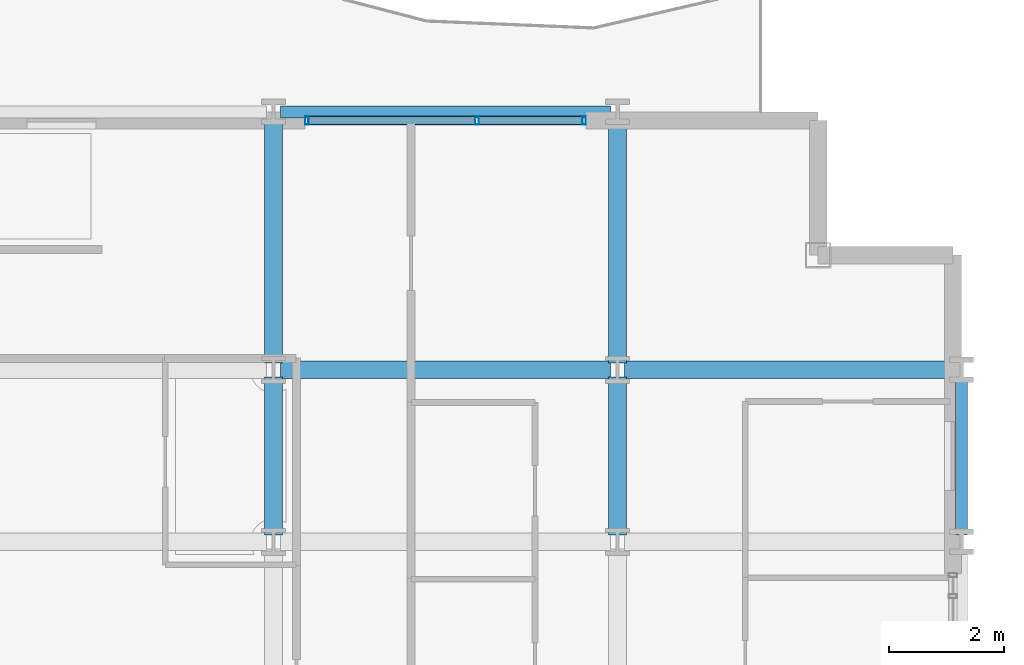
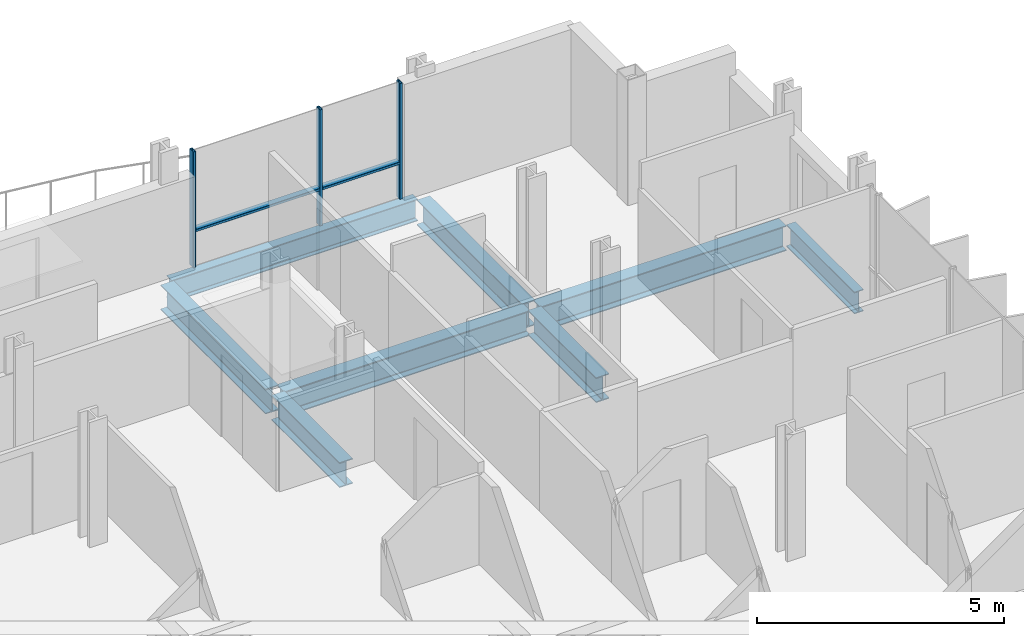
# One storey, part 20 of 39: 8 beams, 5 members, 1 element without a shape of its own.
"""IFC4 building model written with IfcOpenShell, lengths in metres."""

from ifc_helpers import new_model, si_unit, direction, frame, origin, origin_2d, place, context, subcontext, project, spatial, hollow_rectangle, i_section, extrude, material, layer, layer_set, material_profile, profile_set, type_object, element, aggregate, save


model = new_model("IFC4")

# Units and contexts
model_context = context("Model", 3, precision=1e-05, world=origin(), true_north=direction((0.0, 1.0)))
body_context = subcontext(model_context, "Body", "Model", "MODEL_VIEW")
ifc_project = project(units=[si_unit("LENGTHUNIT", "METRE"), si_unit("AREAUNIT", "SQUARE_METRE"), si_unit("VOLUMEUNIT", "CUBIC_METRE"), si_unit("PLANEANGLEUNIT", "RADIAN"), si_unit("MASSUNIT", "GRAM", prefix="KILO")], contexts=[model_context])

# Site, building, storey
site_placement = place(None, origin())
site = spatial("IfcSite", under=ifc_project, at=site_placement, CompositionType="ELEMENT")
building_placement = place(site_placement, origin())
building = spatial("IfcBuilding", under=site, at=building_placement, Name="Brevholm Reach", CompositionType="ELEMENT")
storey_placement = place(building_placement, frame((0.0, 0.0, 40.39990234375)))
storey = spatial("IfcBuildingStorey", under=building, at=storey_placement, Name="L10", CompositionType="ELEMENT", Elevation=40.39990234375)

# Beams
ifc_material_1 = material(Name="Structural Steel S355J2", Category="steel")
ifc_material_profile_1 = material_profile(ifc_material_1, i_section(OverallWidth=0.210693359375, OverallDepth=0.53955078125, WebThickness=0.01171875, FlangeThickness=0.018798828125, FilletRadius=0.0126953125, at=origin_2d()), Name="UKB 533x210x109")
ifc_profile_set_1 = profile_set([ifc_material_profile_1], Name="Structural Steel S355J2")
beam_type_1 = type_object("IfcBeamType", Name="BM-SP539", PredefinedType="SPANDREL", material=ifc_profile_set_1)
beam_1_placement = place(storey_placement, frame((48.1201171875, 31.0, -0.499755859375), z_axis=(1.0, 0.0, 0.0), x_axis=(0.0, 1.0, 0.0)))
element("IfcBeam", 1, at=beam_1_placement, inside=storey, type_object=beam_type_1, Name="L10 SP-01B Framing Beam", PredefinedType="SPANDREL", context=body_context, shape_type="SweptSolid", body=[
    extrude(i_section(OverallWidth=0.210693359375, OverallDepth=0.53955078125, WebThickness=0.01171875, FlangeThickness=0.018798828125, FilletRadius=0.0126953125, at=origin_2d()), origin(), (0.0, 0.0, 1.0), 5.759765625),
])
beam_2_placement = place(storey_placement, frame((60.0, 23.6201171875, -0.499755859375), z_axis=(0.0, 1.0, 0.0), x_axis=(-1.0, 0.0, 0.0)))
element("IfcBeam", 2, at=beam_2_placement, inside=storey, type_object=beam_type_1, Name="L10 SP-01B Framing Beam", PredefinedType="SPANDREL", context=body_context, shape_type="SweptSolid", body=[
    extrude(i_section(OverallWidth=0.210693359375, OverallDepth=0.53955078125, WebThickness=0.01171875, FlangeThickness=0.018798828125, FilletRadius=0.0126953125, at=origin_2d()), origin(), (0.0, 0.0, 1.0), 2.759765625),
])
ifc_material_2 = material(Name="Structural Steel S355J2", Category="steel")
ifc_material_profile_2 = material_profile(ifc_material_2, i_section(OverallWidth=0.30712890625, OverallDepth=0.6201171875, WebThickness=0.01416015625, FlangeThickness=0.023681640625, FilletRadius=0.0166015625, at=origin_2d()), Name="UKB 610x305x179")
ifc_profile_set_2 = profile_set([ifc_material_profile_2], Name="Structural Steel S355J2")
beam_type_2 = type_object("IfcBeamType", Name="BM-UKB610H", PredefinedType="USERDEFINED", material=ifc_profile_set_2)
for number, where, z_axis, x_axis, name in (
    (3, (48.1201171875, 26.5, -0.5400390625), (1.0, 0.0, 0.0), (0.0, 1.0, 0.0), "L10 G-06 Framing Beam"),
    (4, (54.1201171875, 26.5, -0.5400390625), (1.0, 0.0, 0.0), (0.0, 1.0, 0.0), "L10 G-06 Framing Beam"),
):
    element("IfcBeam", number, at=place(storey_placement, frame(where, z_axis=z_axis, x_axis=x_axis)), inside=storey, type_object=beam_type_2, Name=name, ObjectType="GIRDER", PredefinedType="USERDEFINED", context=body_context, shape_type="SweptSolid", body=[
        extrude(i_section(OverallWidth=0.30712890625, OverallDepth=0.6201171875, WebThickness=0.01416015625, FlangeThickness=0.023681640625, FilletRadius=0.0166015625, at=origin_2d()), origin(), (0.0, 0.0, 1.0), 5.759765625),
    ])
beam_3_placement = place(storey_placement, frame((48.0, 23.6201171875, -0.5400390625), z_axis=(0.0, 1.0, 0.0), x_axis=(-1.0, 0.0, 0.0)))
element("IfcBeam", 5, at=beam_3_placement, inside=storey, type_object=beam_type_2, Name="L10 G-06 Framing Beam", ObjectType="GIRDER", PredefinedType="USERDEFINED", context=body_context, shape_type="SweptSolid", body=[
    extrude(i_section(OverallWidth=0.30712890625, OverallDepth=0.6201171875, WebThickness=0.01416015625, FlangeThickness=0.023681640625, FilletRadius=0.0166015625, at=origin_2d()), origin(), (0.0, 0.0, 1.0), 2.759765625),
])
beam_4_placement = place(storey_placement, frame((48.0, 26.6201171875, -0.5400390625), z_axis=(0.0, 1.0, 0.0), x_axis=(-1.0, 0.0, 0.0)))
element("IfcBeam", 6, at=beam_4_placement, inside=storey, type_object=beam_type_2, Name="L10 G-06 Framing Beam", ObjectType="GIRDER", PredefinedType="USERDEFINED", context=body_context, shape_type="SweptSolid", body=[
    extrude(i_section(OverallWidth=0.30712890625, OverallDepth=0.6201171875, WebThickness=0.01416015625, FlangeThickness=0.023681640625, FilletRadius=0.0166015625, at=origin_2d()), origin(), (0.0, 0.0, 1.0), 4.259765625),
])
beam_5_placement = place(storey_placement, frame((54.0, 23.6201171875, -0.5400390625), z_axis=(0.0, 1.0, 0.0), x_axis=(-1.0, 0.0, 0.0)))
element("IfcBeam", 7, at=beam_5_placement, inside=storey, type_object=beam_type_2, Name="L10 G-06 Framing Beam", ObjectType="GIRDER", PredefinedType="USERDEFINED", context=body_context, shape_type="SweptSolid", body=[
    extrude(i_section(OverallWidth=0.30712890625, OverallDepth=0.6201171875, WebThickness=0.01416015625, FlangeThickness=0.023681640625, FilletRadius=0.0166015625, at=origin_2d()), origin(), (0.0, 0.0, 1.0), 2.759765625),
])
beam_6_placement = place(storey_placement, frame((54.0, 26.6201171875, -0.5400390625), z_axis=(0.0, 1.0, 0.0), x_axis=(-1.0, 0.0, 0.0)))
element("IfcBeam", 8, at=beam_6_placement, inside=storey, type_object=beam_type_2, Name="L10 G-06 Framing Beam", ObjectType="GIRDER", PredefinedType="USERDEFINED", context=body_context, shape_type="SweptSolid", body=[
    extrude(i_section(OverallWidth=0.30712890625, OverallDepth=0.6201171875, WebThickness=0.01416015625, FlangeThickness=0.023681640625, FilletRadius=0.0166015625, at=origin_2d()), origin(), (0.0, 0.0, 1.0), 4.259765625),
])

# Curtain wall, members
ifc_material_3 = material(Name="Dark Anodised Aluminium 6063-T6 and Solar-Control Glass", Category="aluminium")
ifc_layer = layer(ifc_material_3, 0.14990234375)
ifc_layer_set = layer_set([ifc_layer], Name="Dark Anodised Aluminium 6063-T6 and Solar-Control Glass")
curtain_wall_type = type_object("IfcCurtainWallType", Name="CW-01", PredefinedType="NOTDEFINED", material=ifc_layer_set)
curtain_wall_placement = place(storey_placement, origin())
curtain_wall = element("IfcCurtainWall", 9, at=curtain_wall_placement, inside=storey, type_object=curtain_wall_type, Name="L10 Curtain Wall CW-01", PredefinedType="NOTDEFINED")
ifc_material_4 = material(Name="Dark Anodised Aluminium 6063-T6", Category="aluminium")
ifc_material_profile_3 = material_profile(ifc_material_4, hollow_rectangle(XDim=0.06494140625, YDim=0.14990234375, WallThickness=0.0048828125, InnerFilletRadius=0.0048828125, OuterFilletRadius=0.010009765625, at=origin_2d()), Name="RHS 150x65x5")
ifc_profile_set_3 = profile_set([ifc_material_profile_3], Name="Dark Anodised Aluminium 6063-T6")
member_type_1 = type_object("IfcMemberType", Name="CWM-150", PredefinedType="MULLION", material=ifc_profile_set_3)
member_1_placement = place(storey_placement, frame((48.58251953125, 30.85009765625, 0.0), z_axis=(0.0, 0.0, 1.0), x_axis=(1.0, 0.0, 0.0)))
member_1 = element("IfcMember", 10, at=member_1_placement, type_object=member_type_1, Name="CM-150 Mullion 1", PredefinedType="MULLION", context=body_context, shape_type="SweptSolid", body=[
    extrude(hollow_rectangle(XDim=0.06494140625, YDim=0.14990234375, WallThickness=0.0048828125, InnerFilletRadius=0.0048828125, OuterFilletRadius=0.010009765625, at=origin_2d()), origin(), (0.0, 0.0, 1.0), 2.8701171875),
])
member_2_placement = place(storey_placement, frame((51.550048828125, 30.85009765625, 0.0), z_axis=(0.0, 0.0, 1.0), x_axis=(1.0, 0.0, 0.0)))
member_2 = element("IfcMember", 11, at=member_2_placement, type_object=member_type_1, Name="CM-150 Mullion 2", PredefinedType="MULLION", context=body_context, shape_type="SweptSolid", body=[
    extrude(hollow_rectangle(XDim=0.06494140625, YDim=0.14990234375, WallThickness=0.0048828125, InnerFilletRadius=0.0048828125, OuterFilletRadius=0.010009765625, at=origin_2d()), origin(), (0.0, 0.0, 1.0), 2.8701171875),
])
member_3_placement = place(storey_placement, frame((53.41748046875, 30.85009765625, 0.0), z_axis=(0.0, 0.0, 1.0), x_axis=(1.0, 0.0, 0.0)))
member_3 = element("IfcMember", 12, at=member_3_placement, type_object=member_type_1, Name="CM-150 Mullion 3", PredefinedType="MULLION", context=body_context, shape_type="SweptSolid", body=[
    extrude(hollow_rectangle(XDim=0.06494140625, YDim=0.14990234375, WallThickness=0.0048828125, InnerFilletRadius=0.0048828125, OuterFilletRadius=0.010009765625, at=origin_2d()), origin(), (0.0, 0.0, 1.0), 2.8701171875),
])
ifc_material_5 = material(Name="Dark Anodised Aluminium 6063-T6", Category="aluminium")
ifc_material_profile_4 = material_profile(ifc_material_5, hollow_rectangle(XDim=0.06494140625, YDim=0.14990234375, WallThickness=0.0048828125, InnerFilletRadius=0.0048828125, OuterFilletRadius=0.010009765625, at=origin_2d()), Name="RHS 150x65x5")
ifc_profile_set_4 = profile_set([ifc_material_profile_4], Name="Dark Anodised Aluminium 6063-T6")
member_type_2 = type_object("IfcMemberType", Name="CWT-150", PredefinedType="NOTDEFINED", material=ifc_profile_set_4)
member_4_placement = place(storey_placement, frame((48.614990234375, 30.85009765625, 0.900146484375), z_axis=(1.0, 0.0, 0.0), x_axis=(0.0, 0.0, 1.0)))
member_4 = element("IfcMember", 13, at=member_4_placement, type_object=member_type_2, Name="CT-150 Transom 1.1", ObjectType="TRANSOM", PredefinedType="USERDEFINED", context=body_context, shape_type="SweptSolid", body=[
    extrude(hollow_rectangle(XDim=0.06494140625, YDim=0.14990234375, WallThickness=0.0048828125, InnerFilletRadius=0.0048828125, OuterFilletRadius=0.010009765625, at=origin_2d()), origin(), (0.0, 0.0, 1.0), 2.902587890625),
])
member_5_placement = place(storey_placement, frame((51.58251953125, 30.85009765625, 0.900146484375), z_axis=(1.0, 0.0, 0.0), x_axis=(0.0, 0.0, 1.0)))
member_5 = element("IfcMember", 14, at=member_5_placement, type_object=member_type_2, Name="CT-150 Transom 2.1", ObjectType="TRANSOM", PredefinedType="USERDEFINED", context=body_context, shape_type="SweptSolid", body=[
    extrude(hollow_rectangle(XDim=0.06494140625, YDim=0.14990234375, WallThickness=0.0048828125, InnerFilletRadius=0.0048828125, OuterFilletRadius=0.010009765625, at=origin_2d()), origin(), (0.0, 0.0, 1.0), 1.802490234375),
])
aggregate(curtain_wall, [member_1, member_2, member_3, member_4, member_5])

save(model, "model.ifc")
